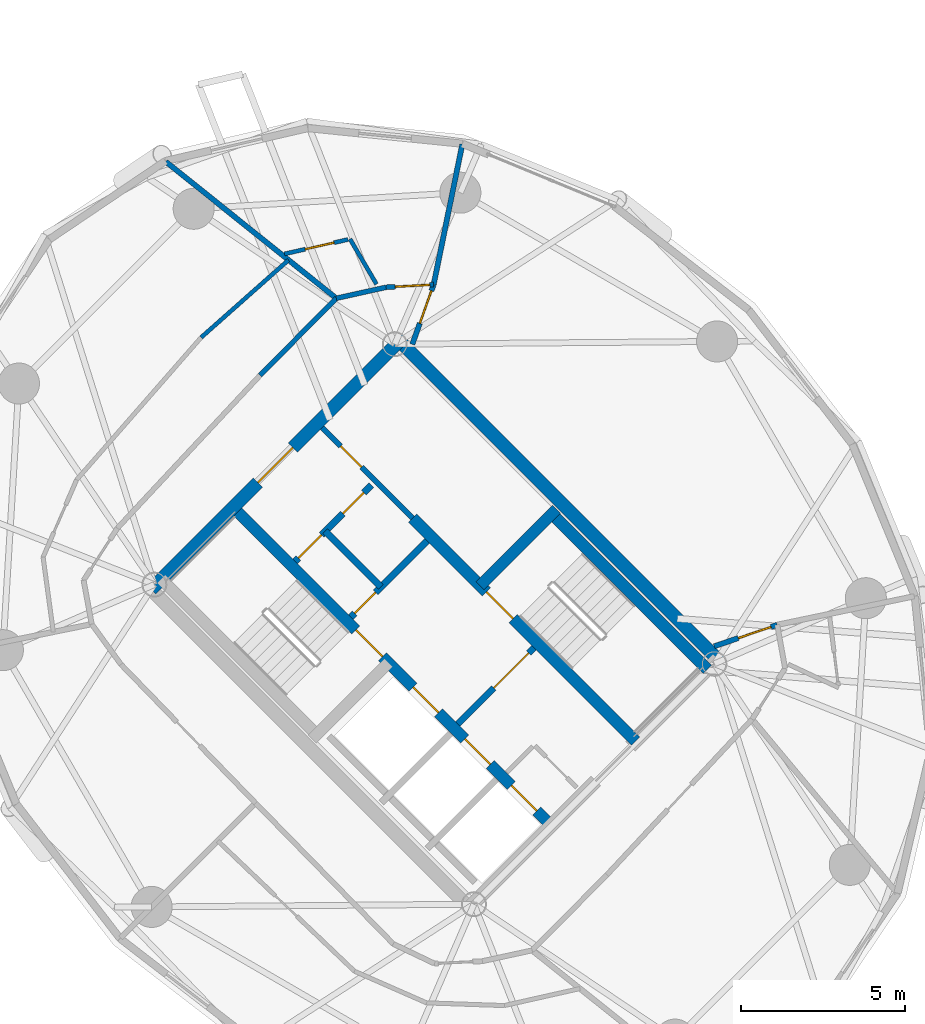
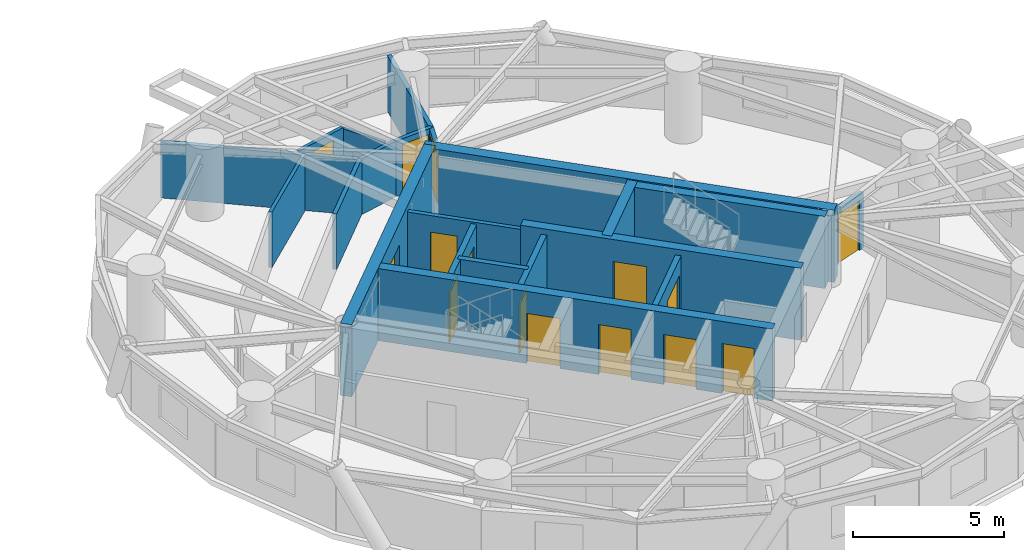
# One storey, part 13 of 17: 21 walls, 15 doors, 15 openings.
"""IFC4 building model written with IfcOpenShell, lengths in metres."""

import ifcopenshell
import ifcopenshell.guid

model = None  # the IFC model being written
_history = None  # IfcOwnerHistory: only IFC2X3 demands one
_inside = {}  # id of a spatial element -> (the spatial element, [elements in it])
_under = {}  # id of a project, library or spatial element -> (it, [spatial elements below it])
_declared = {}  # id of a project -> (the project, [libraries it declares])
_typed = {}  # id of a type object -> (the type object, [elements of that type])
_made_of = {}  # id of a material, layer set ... -> (it, [elements and type objects made of it])


def new_model(schema):
    """Start an empty IFC model of exactly this schema.

    Asked for "IFC4X3", IfcOpenShell would pick the latest addendum, in which some entities
    have other attributes; the version numbers below select the first issue.
    IFC2X3 requires an IfcOwnerHistory on every rooted entity: one is made here for all.
    """
    global model, _history
    if schema == "IFC4X3":
        model = ifcopenshell.file(schema_version=(4, 3, 0, 0))
    else:
        model = ifcopenshell.file(schema=schema)
    _inside.clear()
    _under.clear()
    _declared.clear()
    _typed.clear()
    _made_of.clear()
    _history = None
    if model.schema == "IFC2X3":
        org = make("IfcOrganization", Name="unknown")
        user = make(
            "IfcPersonAndOrganization",
            ThePerson=make("IfcPerson", FamilyName="unknown"),
            TheOrganization=org,
        )
        app = make(
            "IfcApplication",
            ApplicationDeveloper=org,
            Version="unknown",
            ApplicationFullName="unknown",
            ApplicationIdentifier="unknown",
        )
        _history = make(
            "IfcOwnerHistory",
            OwningUser=user,
            OwningApplication=app,
            ChangeAction="ADDED",
            CreationDate=0,
        )
    return model


def make(cls, **values):
    """One entity of the class cls with the attributes given. An attribute that is None is left unset."""
    return model.create_entity(
        cls, **{name: value for name, value in values.items() if value is not None}
    )


def rooted(cls, **values):
    """An entity with a GlobalId (a new one), such as an element, a storey or a relation."""
    return make(cls, GlobalId=ifcopenshell.guid.new(), OwnerHistory=_history, **values)


def si_unit(unit_type, name, prefix=None):
    """IfcSIUnit, for example si_unit("LENGTHUNIT", "METRE", prefix="MILLI")."""
    return make("IfcSIUnit", UnitType=unit_type, Prefix=prefix, Name=name)


def assignment(units):
    """IfcUnitAssignment: the units of a project."""
    return None if units is None else make("IfcUnitAssignment", Units=units)


def point(xyz):
    """IfcCartesianPoint."""
    return None if xyz is None else make("IfcCartesianPoint", Coordinates=xyz)


def direction(xyz):
    """IfcDirection."""
    return None if xyz is None else make("IfcDirection", DirectionRatios=xyz)


def frame(location, z_axis=None, x_axis=None):
    """IfcAxis2Placement3D, a coordinate frame: its origin and axes. An axis left out is left unset."""
    return make(
        "IfcAxis2Placement3D",
        Location=point(location),
        Axis=direction(z_axis),
        RefDirection=direction(x_axis),
    )


def frame_2d(location, x_axis=None):
    """IfcAxis2Placement2D, a coordinate frame in the plane: its origin and x axis."""
    return make(
        "IfcAxis2Placement2D", Location=point(location), RefDirection=direction(x_axis)
    )


def origin():
    """The frame at (0, 0, 0) with its axes left unset."""
    return frame((0.0, 0.0, 0.0))


def place(relative_to, where):
    """IfcLocalPlacement: puts the frame where relative to a parent placement (None: the world)."""
    return make(
        "IfcLocalPlacement", PlacementRelTo=relative_to, RelativePlacement=where
    )


def context(
    kind, dimensions, precision=None, world=None, true_north=None, identifier=None
):
    """IfcGeometricRepresentationContext, for example the 3D "Model" context."""
    return make(
        "IfcGeometricRepresentationContext",
        ContextIdentifier=identifier,
        ContextType=kind,
        CoordinateSpaceDimension=dimensions,
        Precision=precision,
        WorldCoordinateSystem=world,
        TrueNorth=true_north,
    )


def subcontext(parent, identifier, kind, view, scale=None):
    """IfcGeometricRepresentationSubContext, for example "Body" below "Model"."""
    return make(
        "IfcGeometricRepresentationSubContext",
        ContextIdentifier=identifier,
        ContextType=kind,
        ParentContext=parent,
        TargetScale=scale,
        TargetView=view,
    )


def project(units=None, contexts=None):
    """IfcProject with its units and contexts."""
    return rooted(
        "IfcProject",
        Name="project",
        RepresentationContexts=contexts,
        UnitsInContext=assignment(units),
    )


def spatial(cls, under=None, at=None, **own):
    """A site, building, storey or space (cls), placed at a placement, below another one or the project."""
    s = rooted(cls, ObjectPlacement=at, **own)
    if under is not None:
        _under.setdefault(under.id(), (under, []))[1].append(s)
    return s


def profile(cls, at=None, kind="AREA", **sizes):
    """A parametric profile (cls). Its sizes go by their IFC names, for example OverallWidth=200.0."""
    return make(cls, ProfileType=kind, Position=at, **sizes)


def rectangle(**sizes):
    """IfcRectangleProfileDef."""
    return profile("IfcRectangleProfileDef", **sizes)


def extrude(swept, where, along, depth):
    """IfcExtrudedAreaSolid: the profile swept, set in the frame where, extruded along a direction by depth."""
    return make(
        "IfcExtrudedAreaSolid",
        SweptArea=swept,
        Position=where,
        ExtrudedDirection=direction(along),
        Depth=depth,
    )


def shape(context_of_items, identifier, shape_type, items):
    """IfcShapeRepresentation: the items that make up one representation, for example the "Body"."""
    return make(
        "IfcShapeRepresentation",
        ContextOfItems=context_of_items,
        RepresentationIdentifier=identifier,
        RepresentationType=shape_type,
        Items=items,
    )


def source(mapping_origin, context_of_items, identifier, shape_type, items):
    """IfcRepresentationMap: a shape defined once, which mapped items show again and again."""
    return make(
        "IfcRepresentationMap",
        MappingOrigin=mapping_origin,
        MappedRepresentation=shape(context_of_items, identifier, shape_type, items),
    )


def transform(
    local_origin,
    x_axis=None,
    y_axis=None,
    z_axis=None,
    scale=None,
    scale2=None,
    scale3=None,
    uniform=True,
):
    """IfcCartesianTransformationOperator3D, or its non-uniform kind. x_axis, y_axis, z_axis: its Axis1, 2, 3."""
    if uniform:
        return make(
            "IfcCartesianTransformationOperator3D",
            Axis1=direction(x_axis),
            Axis2=direction(y_axis),
            LocalOrigin=point(local_origin),
            Scale=scale,
            Axis3=direction(z_axis),
        )
    return make(
        "IfcCartesianTransformationOperator3DnonUniform",
        Axis1=direction(x_axis),
        Axis2=direction(y_axis),
        LocalOrigin=point(local_origin),
        Scale=scale,
        Axis3=direction(z_axis),
        Scale2=scale2,
        Scale3=scale3,
    )


def mapped(mapping_source, mapping_target):
    """IfcMappedItem: shows the shape of a source again, moved by a transform."""
    return make(
        "IfcMappedItem", MappingSource=mapping_source, MappingTarget=mapping_target
    )


def material(Name=None, Category=None):
    """IfcMaterial."""
    return make("IfcMaterial", Name=Name, Category=Category)


def layer(
    of_material, thickness, ventilated=None, Name=None, Category=None, Priority=None
):
    """IfcMaterialLayer: one layer of a wall or slab, of a material (None: an air gap)."""
    return make(
        "IfcMaterialLayer",
        Material=of_material,
        LayerThickness=thickness,
        IsVentilated=ventilated,
        Name=Name,
        Category=Category,
        Priority=Priority,
    )


def layer_set(layers, Name=None):
    """IfcMaterialLayerSet."""
    return make("IfcMaterialLayerSet", MaterialLayers=layers, LayerSetName=Name)


def made_of(thing, what):
    """Note that an element or type object is made of a material, layer set ...; save() writes the relation."""
    if what is not None:
        _made_of.setdefault(what.id(), (what, []))[1].append(thing)
    return thing


def type_object(cls, material=None, **own):
    """A type object (cls), such as IfcWallType, which elements share."""
    return made_of(rooted(cls, **own), material)


def element(
    cls,
    number,
    at=None,
    inside=None,
    cuts=None,
    type_object=None,
    material=None,
    context=None,
    identifier="Body",
    shape_type=None,
    held_by="IfcProductDefinitionShape",
    body=None,
    shapes=None,
    **own,
):
    """One element of the class cls, such as IfcWall. Its Tag is "e" and its number.

    at: its placement. inside: the storey or other place that contains it. cuts: it is an
    opening in that element (IfcRelVoidsElement). A single representation is given by context,
    identifier, shape_type and body (its items); several are given by shapes. held_by: the class
    of the entity that holds the representations. save() writes the other relations.
    """
    e = rooted(cls, Tag="e%d" % number, ObjectPlacement=at, **own)
    if body is not None:
        shapes = [shape(context, identifier, shape_type, body)]
    if shapes is not None:
        e.Representation = make(held_by, Representations=shapes)
    if inside is not None:
        _inside.setdefault(inside.id(), (inside, []))[1].append(e)
    if cuts is not None:
        rooted(
            "IfcRelVoidsElement", RelatingBuildingElement=cuts, RelatedOpeningElement=e
        )
    if type_object is not None:
        _typed.setdefault(type_object.id(), (type_object, []))[1].append(e)
    return made_of(e, material)


def fill(opening, filler):
    """IfcRelFillsElement: the door or window that sits in an opening."""
    return rooted(
        "IfcRelFillsElement",
        RelatingOpeningElement=opening,
        RelatedBuildingElement=filler,
    )


def aggregate(whole, parts):
    """IfcRelAggregates: a whole, such as a stair, and the parts it consists of."""
    return rooted("IfcRelAggregates", RelatingObject=whole, RelatedObjects=parts)


def save(model, path):
    """Write the relations noted so far, then the file.

    IfcRelAggregates (storeys below a building ...), IfcRelContainedInSpatialStructure (elements
    in a storey), IfcRelDefinesByType, IfcRelAssociatesMaterial and IfcRelDeclares: one each for
    every whole, place, type object, material and project.
    """
    for whole, parts in _under.values():
        aggregate(whole, parts)
    for where, things in _inside.values():
        rooted(
            "IfcRelContainedInSpatialStructure",
            RelatedElements=things,
            RelatingStructure=where,
        )
    for kind, things in _typed.values():
        rooted("IfcRelDefinesByType", RelatedObjects=things, RelatingType=kind)
    for what, things in _made_of.values():
        rooted("IfcRelAssociatesMaterial", RelatedObjects=things, RelatingMaterial=what)
    for by, libraries in _declared.values():
        rooted("IfcRelDeclares", RelatingContext=by, RelatedDefinitions=libraries)
    model.write(path)


model = new_model("IFC4")

# Units and contexts
model_context = context("Model", 3, precision=1e-05, world=origin(), true_north=direction((0.0, 1.0)))
body_context = subcontext(model_context, "Body", "Model", "MODEL_VIEW")
ifc_project = project(units=[si_unit("LENGTHUNIT", "METRE"), si_unit("AREAUNIT", "SQUARE_METRE"), si_unit("VOLUMEUNIT", "CUBIC_METRE"), si_unit("PLANEANGLEUNIT", "RADIAN"), si_unit("MASSUNIT", "GRAM", prefix="KILO")], contexts=[model_context])

# Site, building, storey
site_placement = place(None, origin())
site = spatial("IfcSite", under=ifc_project, at=site_placement, CompositionType="ELEMENT")
building_placement = place(site_placement, origin())
building = spatial("IfcBuilding", under=site, at=building_placement, Name="Cununo Teusaquillo Station Towers", CompositionType="ELEMENT")
storey_placement = place(building_placement, frame((0.0, 0.0, 174.8798828125)))
storey = spatial("IfcBuildingStorey", under=building, at=storey_placement, Name="L55", CompositionType="ELEMENT", Elevation=174.8798828125)

# Wall, openings, doors
ifc_material_1 = material(Name="Concrete C50/60", Category="concrete")
ifc_layer_1 = layer(ifc_material_1, 0.35009765625)
ifc_layer_set_1 = layer_set([ifc_layer_1], Name="Concrete C50/60")
wall_type_1 = type_object("IfcWallType", Name="WL-CORE-350", PredefinedType="SHEAR", material=ifc_layer_set_1)
wall_1_placement = place(storey_placement, frame((61.060302734375, 18.372802734375, 0.0), z_axis=(0.0, 0.0, 1.0), x_axis=(-0.707106781187, 0.707106781187, 0.0)))
wall_1 = element("IfcWall", 1, at=wall_1_placement, inside=storey, type_object=wall_type_1, Name="L55 Tower B Core Shear Wall IW", PredefinedType="SHEAR", context=body_context, shape_type="SweptSolid", body=[
    extrude(rectangle(XDim=13.7001953125, YDim=0.35009765625, at=frame_2d((6.85009765625, 0.0))), origin(), (0.0, 0.0, 1.0), 2.91015625),
])
shared_shape_1 = source(origin(), body_context, "Body", "SweptSolid", [
    extrude(rectangle(XDim=1.10009765625, YDim=2.014892578125, at=frame_2d((0.550048828125, 1.00732421875))), frame((0.0, 0.18505859375, 0.0), z_axis=(0.0, -1.0, 0.0), x_axis=(1.0, 0.0, 0.0)), (0.0, 0.0, 1.0), 0.3701171875),
])
opening_1_placement = place(wall_1_placement, frame((4.85009765625, 0.0, 0.0)))
opening_1 = element("IfcOpeningElement", 2, at=opening_1_placement, cuts=wall_1, Name="Opening LD-01", PredefinedType="OPENING", context=body_context, shape_type="MappedRepresentation", body=[
    mapped(shared_shape_1, transform((0.0, 0.0, 0.0), x_axis=(1.0, 0.0, 0.0), y_axis=(0.0, 1.0, 0.0), z_axis=(0.0, 0.0, 1.0), scale=1.0)),
])
opening_2_placement = place(wall_1_placement, frame((0.625, 0.0, 0.0)))
opening_2 = element("IfcOpeningElement", 3, at=opening_2_placement, cuts=wall_1, Name="Opening LD-01", PredefinedType="OPENING", context=body_context, shape_type="MappedRepresentation", body=[
    mapped(shared_shape_1, transform((0.0, 0.0, 0.0), x_axis=(1.0, 0.0, 0.0), y_axis=(0.0, 1.0, 0.0), z_axis=(0.0, 0.0, 1.0), scale=1.0)),
])
opening_3_placement = place(wall_1_placement, frame((2.625, 0.0, 0.0)))
opening_3 = element("IfcOpeningElement", 4, at=opening_3_placement, cuts=wall_1, Name="Opening LD-01", PredefinedType="OPENING", context=body_context, shape_type="MappedRepresentation", body=[
    mapped(shared_shape_1, transform((0.0, 0.0, 0.0), x_axis=(1.0, 0.0, 0.0), y_axis=(0.0, 1.0, 0.0), z_axis=(0.0, 0.0, 1.0), scale=1.0)),
])
shared_shape_2 = source(origin(), body_context, "Body", "SweptSolid", [
    extrude(rectangle(XDim=1.14990234375, YDim=2.02001953125, at=frame_2d((0.574951171875, 1.010009765625))), frame((0.0, 0.18505859375, 0.0), z_axis=(0.0, -1.0, 0.0), x_axis=(1.0, 0.0, 0.0)), (0.0, 0.0, 1.0), 0.3701171875),
])
opening_4_placement = place(wall_1_placement, frame((7.27001953125, 0.0, 0.0)))
opening_4 = element("IfcOpeningElement", 5, at=opening_4_placement, cuts=wall_1, Name="Opening D-ST1", PredefinedType="OPENING", context=body_context, shape_type="MappedRepresentation", body=[
    mapped(shared_shape_2, transform((0.0, 0.0, 0.0), x_axis=(1.0, 0.0, 0.0), y_axis=(0.0, 1.0, 0.0), z_axis=(0.0, 0.0, 1.0), scale=1.0)),
])
ifc_material_2 = material(Name="Galvanised fire-rated hollow steel door assembly", Category="steel")
door_type_1 = type_object("IfcDoorType", Name="DR-LIFT-1100", OperationType="SLIDING_TO_LEFT", PredefinedType="DOOR", material=ifc_material_2)
shared_shape_3 = source(origin(), body_context, "Body", "SweptSolid", [
    extrude(rectangle(XDim=1.10009765625, YDim=2.014892578125, at=frame_2d((0.550048828125, 1.00732421875))), frame((0.0, 0.02490234375, 0.0), z_axis=(0.0, -1.0, 0.0), x_axis=(1.0, 0.0, 0.0)), (0.0, 0.0, 1.0), 0.050048828125),
])
door_1_placement = place(opening_1_placement, origin())
door_1 = element("IfcDoor", 6, at=door_1_placement, inside=storey, type_object=door_type_1, Name="L55 Lift FL-T2 Sliding Landing Door", OperationType="SLIDING_TO_LEFT", OverallHeight=2.014892578125, OverallWidth=1.10009765625, PredefinedType="DOOR", context=body_context, shape_type="MappedRepresentation", body=[
    mapped(shared_shape_3, transform((0.0, 0.0, 0.0), x_axis=(1.0, 0.0, 0.0), y_axis=(0.0, 1.0, 0.0), z_axis=(0.0, 0.0, 1.0), scale=1.0)),
])
fill(opening_1, door_1)
door_2_placement = place(opening_2_placement, origin())
door_2 = element("IfcDoor", 7, at=door_2_placement, inside=storey, type_object=door_type_1, Name="L55 Lift PL-T2-H1 Sliding Landing Door", OperationType="SLIDING_TO_RIGHT", OverallHeight=2.014892578125, OverallWidth=1.10009765625, PredefinedType="DOOR", context=body_context, shape_type="MappedRepresentation", body=[
    mapped(shared_shape_3, transform((0.0, 0.0, 0.0), x_axis=(1.0, 0.0, 0.0), y_axis=(0.0, 1.0, 0.0), z_axis=(0.0, 0.0, 1.0), scale=1.0)),
])
fill(opening_2, door_2)
door_3_placement = place(opening_3_placement, origin())
door_3 = element("IfcDoor", 8, at=door_3_placement, inside=storey, type_object=door_type_1, Name="L55 Lift PL-T2-H2 Sliding Landing Door", OperationType="SLIDING_TO_LEFT", OverallHeight=2.014892578125, OverallWidth=1.10009765625, PredefinedType="DOOR", context=body_context, shape_type="MappedRepresentation", body=[
    mapped(shared_shape_3, transform((0.0, 0.0, 0.0), x_axis=(1.0, 0.0, 0.0), y_axis=(0.0, 1.0, 0.0), z_axis=(0.0, 0.0, 1.0), scale=1.0)),
])
fill(opening_3, door_3)
ifc_material_3 = material(Name="Galvanised fire-rated hollow steel door assembly", Category="steel")
door_type_2 = type_object("IfcDoorType", Name="DR-STAIR-1150", OperationType="NOTDEFINED", PredefinedType="DOOR", material=ifc_material_3)
shared_shape_4 = source(origin(), body_context, "Body", "SweptSolid", [
    extrude(rectangle(XDim=1.14990234375, YDim=2.02001953125, at=frame_2d((0.574951171875, 1.010009765625))), frame((0.0, 0.02490234375, 0.0), z_axis=(0.0, -1.0, 0.0), x_axis=(1.0, 0.0, 0.0)), (0.0, 0.0, 1.0), 0.050048828125),
])
door_4_placement = place(opening_4_placement, origin())
door_4 = element("IfcDoor", 9, at=door_4_placement, inside=storey, type_object=door_type_2, Name="L55 Tower B Exit Stair 1 Fire Door", OperationType="SINGLE_SWING_LEFT", OverallHeight=2.02001953125, OverallWidth=1.14990234375, PredefinedType="DOOR", context=body_context, shape_type="MappedRepresentation", body=[
    mapped(shared_shape_4, transform((0.0, 0.0, 0.0), x_axis=(1.0, 0.0, 0.0), y_axis=(0.0, 1.0, 0.0), z_axis=(0.0, 0.0, 1.0), scale=1.0)),
])
fill(opening_4, door_4)

# Wall, opening, door
wall_2_placement = place(storey_placement, frame((63.627197265625, 20.939697265625, 0.0), z_axis=(0.0, 0.0, 1.0), x_axis=(-0.707119496762, 0.707094065383, 0.0)))
wall_2 = element("IfcWall", 10, at=wall_2_placement, inside=storey, type_object=wall_type_1, Name="L55 Tower B Core Shear Wall IE", PredefinedType="SHEAR", context=body_context, shape_type="SweptSolid", body=[
    extrude(rectangle(XDim=9.60009765625, YDim=0.35009765625, at=frame_2d((4.800048828125, 0.0))), origin(), (0.0, 0.0, 1.0), 2.91015625),
])
opening_5_placement = place(wall_2_placement, frame((5.280029296875, 0.0, 0.0)))
opening_5 = element("IfcOpeningElement", 11, at=opening_5_placement, cuts=wall_2, Name="Opening D-ST1", PredefinedType="OPENING", context=body_context, shape_type="MappedRepresentation", body=[
    mapped(shared_shape_2, transform((0.0, 0.0, 0.0), x_axis=(1.0, 0.0, 0.0), y_axis=(0.0, 1.0, 0.0), z_axis=(0.0, 0.0, 1.0), scale=1.0)),
])
door_5_placement = place(opening_5_placement, origin())
door_5 = element("IfcDoor", 12, at=door_5_placement, inside=storey, type_object=door_type_2, Name="L55 Tower B Exit Stair 2 Fire Door", OperationType="SINGLE_SWING_RIGHT", OverallHeight=2.02001953125, OverallWidth=1.14990234375, PredefinedType="DOOR", context=body_context, shape_type="MappedRepresentation", body=[
    mapped(shared_shape_4, transform((0.0, 0.0, 0.0), x_axis=(1.0, 0.0, 0.0), y_axis=(0.0, 1.0, 0.0), z_axis=(0.0, 0.0, 1.0), scale=1.0)),
])
fill(opening_5, door_5)

# Walls
wall_3_placement = place(storey_placement, frame((65.81201171875, 23.124755859375, 0.0), z_axis=(0.0, 0.0, 1.0), x_axis=(-0.707106781187, 0.707106781187, 0.0)))
element("IfcWall", 13, at=wall_3_placement, inside=storey, type_object=wall_type_1, Name="L55 Tower B Core Shear Wall ST2E", PredefinedType="SHEAR", context=body_context, shape_type="SweptSolid", body=[
    extrude(rectangle(XDim=6.695068359375, YDim=0.35009765625, at=frame_2d((3.34765625, 0.0))), origin(), (0.0, 0.0, 1.0), 2.91015625),
])
wall_4_placement = place(storey_placement, frame((58.89306640625, 25.673828125, 0.0), z_axis=(0.0, 0.0, 1.0), x_axis=(0.707106781187, 0.707106781187, 0.0)))
element("IfcWall", 14, at=wall_4_placement, inside=storey, type_object=wall_type_1, Name="L55 Tower B Core Shear Wall ST2N", PredefinedType="SHEAR", context=body_context, shape_type="SweptSolid", body=[
    extrude(rectangle(XDim=3.284912109375, YDim=0.35009765625, at=frame_2d((1.642578125, 0.0))), origin(), (0.0, 0.0, 1.0), 2.91015625),
])
ifc_material_4 = material(Name="Concrete C50/60", Category="concrete")
ifc_layer_2 = layer(ifc_material_4, 0.39990234375)
ifc_layer_set_2 = layer_set([ifc_layer_2], Name="Concrete C50/60")
wall_type_2 = type_object("IfcWallType", Name="WL-CORE-400", PredefinedType="SHEAR", material=ifc_layer_set_2)
wall_5_placement = place(storey_placement, frame((66.26806640625, 23.2978515625, 0.0), z_axis=(0.0, 0.0, 1.0), x_axis=(-0.707106781187, 0.707106781187, 0.0)))
element("IfcWall", 15, at=wall_5_placement, inside=storey, type_object=wall_type_2, Name="L55 Tower B Core Shear Wall E", PredefinedType="SHEAR", context=body_context, shape_type="SweptSolid", body=[
    extrude(rectangle(XDim=14.10009765625, YDim=0.39990234375, at=frame_2d((7.050048828125, 0.0))), origin(), (0.0, 0.0, 1.0), 2.91015625),
])

# Wall, opening, door
wall_6_placement = place(storey_placement, frame((48.873291015625, 25.560791015625, 0.0), z_axis=(0.0, 0.0, 1.0), x_axis=(0.707106781187, 0.707106781187, 0.0)))
wall_6 = element("IfcWall", 16, at=wall_6_placement, inside=storey, type_object=wall_type_2, Name="L55 Tower B Core Shear Wall N", PredefinedType="SHEAR", context=body_context, shape_type="SweptSolid", body=[
    extrude(rectangle(XDim=10.69970703125, YDim=0.39990234375, at=frame_2d((5.349853515625, 0.0))), origin(), (0.0, 0.0, 1.0), 2.91015625),
])
shared_shape_5 = source(origin(), body_context, "Body", "SweptSolid", [
    extrude(rectangle(XDim=1.5, YDim=2.02001953125, at=frame_2d((0.75, 1.010009765625))), frame((0.0, 0.2099609375, 0.0), z_axis=(0.0, -1.0, 0.0), x_axis=(1.0, 0.0, 0.0)), (0.0, 0.0, 1.0), 0.419921875),
])
opening_6_placement = place(wall_6_placement, frame((4.60009765625, 0.0, 0.0)))
opening_6 = element("IfcOpeningElement", 17, at=opening_6_placement, cuts=wall_6, Name="Opening D-LB1", PredefinedType="OPENING", context=body_context, shape_type="MappedRepresentation", body=[
    mapped(shared_shape_5, transform((0.0, 0.0, 0.0), x_axis=(1.0, 0.0, 0.0), y_axis=(0.0, 1.0, 0.0), z_axis=(0.0, 0.0, 1.0), scale=1.0)),
])
ifc_material_5 = material(Name="Galvanised fire-rated hollow steel door assembly", Category="steel")
door_type_3 = type_object("IfcDoorType", Name="DR-LOBBY-1500", OperationType="DOUBLE_DOOR_SINGLE_SWING", PredefinedType="DOOR", material=ifc_material_5)
shared_shape_6 = source(origin(), body_context, "Body", "SweptSolid", [
    extrude(rectangle(XDim=1.5, YDim=2.02001953125, at=frame_2d((0.75, 1.010009765625))), frame((0.0, 0.02490234375, 0.0), z_axis=(0.0, -1.0, 0.0), x_axis=(1.0, 0.0, 0.0)), (0.0, 0.0, 1.0), 0.050048828125),
])
door_6_placement = place(opening_6_placement, origin())
door_6 = element("IfcDoor", 18, at=door_6_placement, inside=storey, type_object=door_type_3, Name="L55 Tower B North Core Lift Lobby Door", OperationType="DOUBLE_DOOR_SINGLE_SWING", OverallHeight=2.02001953125, OverallWidth=1.5, PredefinedType="DOOR", context=body_context, shape_type="MappedRepresentation", body=[
    mapped(shared_shape_6, transform((0.0, 0.0, 0.0), x_axis=(1.0, 0.0, 0.0), y_axis=(0.0, 1.0, 0.0), z_axis=(0.0, 0.0, 1.0), scale=1.0)),
])
fill(opening_6, door_6)

# Wall
ifc_material_6 = material(Name="Fire-rated gypsum plasterboard partition assembly", Category="gypsum")
ifc_layer_3 = layer(ifc_material_6, 0.125)
ifc_layer_set_3 = layer_set([ifc_layer_3], Name="Fire-rated gypsum plasterboard partition assembly")
wall_type_3 = type_object("IfcWallType", Name="WL-PART-125", PredefinedType="PARTITIONING", material=ifc_layer_set_3)
wall_7_placement = place(storey_placement, frame((55.7373046875, 34.8525390625, 0.0), z_axis=(0.0, 0.0, 1.0), x_axis=(-0.506282425857, 0.862367732043, 0.0)))
element("IfcWall", 19, at=wall_7_placement, inside=storey, type_object=wall_type_3, Name="L55 Tower B S01 En-suite Side Wall", PredefinedType="PARTITIONING", context=body_context, shape_type="SweptSolid", body=[
    extrude(rectangle(XDim=1.59130859375, YDim=0.125, at=frame_2d((0.795654296875, 0.0))), origin(), (0.0, 0.0, 1.0), 2.2451171875),
])

# Wall, opening, door
wall_8_placement = place(storey_placement, frame((54.87109375, 36.211181640625, 0.0), z_axis=(0.0, 0.0, 1.0), x_axis=(-0.975212623293, -0.221269833846, 0.0)))
wall_8 = element("IfcWall", 20, at=wall_8_placement, inside=storey, type_object=wall_type_3, Name="L55 Tower B S01 En-suite Back Wall", PredefinedType="PARTITIONING", context=body_context, shape_type="SweptSolid", body=[
    extrude(rectangle(XDim=1.982666015625, YDim=0.125, at=frame_2d((0.9912109375, 0.0))), origin(), (0.0, 0.0, 1.0), 2.31201171875),
])
shared_shape_7 = source(origin(), body_context, "Body", "SweptSolid", [
    extrude(rectangle(XDim=0.89990234375, YDim=2.0048828125, at=frame_2d((0.449951171875, 1.00244140625))), frame((0.0, 0.072509765625, 0.0), z_axis=(0.0, -1.0, 0.0), x_axis=(1.0, 0.0, 0.0)), (0.0, 0.0, 1.0), 0.14501953125),
])
opening_7_placement = place(wall_8_placement, frame((0.43603515625, 0.0, 0.0)))
opening_7 = element("IfcOpeningElement", 21, at=opening_7_placement, cuts=wall_8, Name="Opening D-IN1", PredefinedType="OPENING", context=body_context, shape_type="MappedRepresentation", body=[
    mapped(shared_shape_7, transform((0.0, 0.0, 0.0), x_axis=(1.0, 0.0, 0.0), y_axis=(0.0, 1.0, 0.0), z_axis=(0.0, 0.0, 1.0), scale=1.0)),
])
ifc_material_7 = material(Name="Acoustic solid-core hardwood leaf assembly", Category="wood")
door_type_4 = type_object("IfcDoorType", Name="DR-INT-900", OperationType="NOTDEFINED", PredefinedType="DOOR", material=ifc_material_7)
shared_shape_8 = source(origin(), body_context, "Body", "SweptSolid", [
    extrude(rectangle(XDim=0.89990234375, YDim=2.0048828125, at=frame_2d((0.449951171875, 1.00244140625))), frame((0.0, 0.02490234375, 0.0), z_axis=(0.0, -1.0, 0.0), x_axis=(1.0, 0.0, 0.0)), (0.0, 0.0, 1.0), 0.050048828125),
])
door_7_placement = place(opening_7_placement, origin())
door_7 = element("IfcDoor", 22, at=door_7_placement, inside=storey, type_object=door_type_4, Name="L55 Tower B S01 En-suite Bathroom Door", OperationType="SINGLE_SWING_LEFT", OverallHeight=2.0048828125, OverallWidth=0.89990234375, PredefinedType="DOOR", context=body_context, shape_type="MappedRepresentation", body=[
    mapped(shared_shape_8, transform((0.0, 0.0, 0.0), x_axis=(1.0, 0.0, 0.0), y_axis=(0.0, 1.0, 0.0), z_axis=(0.0, 0.0, 1.0), scale=1.0)),
])
fill(opening_7, door_7)

# Wall
wall_9_placement = place(storey_placement, frame((53.060302734375, 35.5869140625, 0.0), z_axis=(0.0, 0.0, 1.0), x_axis=(-0.748390346028, -0.663258539314, 0.0)))
element("IfcWall", 23, at=wall_9_placement, inside=storey, type_object=wall_type_3, Name="L55 Tower B Private Butler & Banquet Hall Concentric Partition Wall C04", PredefinedType="PARTITIONING", context=body_context, shape_type="SweptSolid", body=[
    extrude(rectangle(XDim=3.55322265625, YDim=0.125, at=frame_2d((1.776611328125, 0.0))), origin(), (0.0, 0.0, 1.0), 2.2451171875),
])

# Wall, opening, door
ifc_material_8 = material(Name="Fire-rated gypsum plasterboard partition assembly", Category="gypsum")
ifc_layer_4 = layer(ifc_material_8, 0.14990234375)
ifc_layer_set_4 = layer_set([ifc_layer_4], Name="Fire-rated gypsum plasterboard partition assembly")
wall_type_4 = type_object("IfcWallType", Name="WL-PART-150", PredefinedType="PARTITIONING", material=ifc_layer_set_4)
wall_10_placement = place(storey_placement, frame((57.477783203125, 34.837890625, 0.0), z_axis=(0.0, 0.0, 1.0), x_axis=(-0.998448388303, -0.05568497011, 0.0)))
wall_10 = element("IfcWall", 24, at=wall_10_placement, inside=storey, type_object=wall_type_4, Name="L55 Tower B Corridor Ring Wall C02", PredefinedType="PARTITIONING", context=body_context, shape_type="SweptSolid", body=[
    extrude(rectangle(XDim=1.44677734375, YDim=0.14990234375, at=frame_2d((0.723388671875, 0.0))), origin(), (0.0, 0.0, 1.0), 2.2451171875),
])
shared_shape_9 = source(origin(), body_context, "Body", "SweptSolid", [
    extrude(rectangle(XDim=1.050048828125, YDim=2.014892578125, at=frame_2d((0.52490234375, 1.00732421875))), frame((0.0, 0.0849609375, 0.0), z_axis=(0.0, -1.0, 0.0), x_axis=(1.0, 0.0, 0.0)), (0.0, 0.0, 1.0), 0.169921875),
])
opening_8_placement = place(wall_10_placement, frame((0.1201171875, 0.0, 0.0)))
opening_8 = element("IfcOpeningElement", 25, at=opening_8_placement, cuts=wall_10, Name="Opening D-SU1", PredefinedType="OPENING", context=body_context, shape_type="MappedRepresentation", body=[
    mapped(shared_shape_9, transform((0.0, 0.0, 0.0), x_axis=(1.0, 0.0, 0.0), y_axis=(0.0, 1.0, 0.0), z_axis=(0.0, 0.0, 1.0), scale=1.0)),
])
ifc_material_9 = material(Name="Acoustic solid-core hardwood leaf assembly", Category="wood")
door_type_5 = type_object("IfcDoorType", Name="DR-SUITE-1050", OperationType="NOTDEFINED", PredefinedType="DOOR", material=ifc_material_9)
shared_shape_10 = source(origin(), body_context, "Body", "SweptSolid", [
    extrude(rectangle(XDim=1.050048828125, YDim=2.014892578125, at=frame_2d((0.52490234375, 1.00732421875))), frame((0.0, 0.02490234375, 0.0), z_axis=(0.0, -1.0, 0.0), x_axis=(1.0, 0.0, 0.0)), (0.0, 0.0, 1.0), 0.050048828125),
])
door_8_placement = place(opening_8_placement, origin())
door_8 = element("IfcDoor", 26, at=door_8_placement, inside=storey, type_object=door_type_5, Name="L55 Tower B Royal Teusaquillo Hotel Suite Entrance Door", OperationType="SINGLE_SWING_RIGHT", OverallHeight=2.014892578125, OverallWidth=1.050048828125, PredefinedType="DOOR", context=body_context, shape_type="MappedRepresentation", body=[
    mapped(shared_shape_10, transform((0.0, 0.0, 0.0), x_axis=(1.0, 0.0, 0.0), y_axis=(0.0, 1.0, 0.0), z_axis=(0.0, 0.0, 1.0), scale=1.0)),
])
fill(opening_8, door_8)

# Walls
wall_11_placement = place(storey_placement, frame((56.033203125, 34.75732421875, 0.0), z_axis=(0.0, 0.0, 1.0), x_axis=(-0.976507263775, -0.215484486204, 0.0)))
element("IfcWall", 27, at=wall_11_placement, inside=storey, type_object=wall_type_4, Name="L55 Tower B Corridor Ring Wall C03", PredefinedType="PARTITIONING", context=body_context, shape_type="SweptSolid", body=[
    extrude(rectangle(XDim=1.5556640625, YDim=0.14990234375, at=frame_2d((0.77783203125, 0.0))), origin(), (0.0, 0.0, 1.0), 2.2451171875),
])
wall_12_placement = place(storey_placement, frame((54.51416015625, 34.422119140625, 0.0), z_axis=(0.0, 0.0, 1.0), x_axis=(-0.703289573518, -0.710903492593, 0.0)))
element("IfcWall", 28, at=wall_12_placement, inside=storey, type_object=wall_type_4, Name="L55 Tower B Corridor Ring Wall C04", PredefinedType="PARTITIONING", context=body_context, shape_type="SweptSolid", body=[
    extrude(rectangle(XDim=3.302734375, YDim=0.14990234375, at=frame_2d((1.6513671875, 0.0))), origin(), (0.0, 0.0, 1.0), 2.2451171875),
])

# Wall, opening, door
ifc_material_10 = material(Name="Fire-rated gypsum plasterboard partition assembly", Category="gypsum")
ifc_layer_5 = layer(ifc_material_10, 0.159912109375)
ifc_layer_set_5 = layer_set([ifc_layer_5], Name="Fire-rated gypsum plasterboard partition assembly")
wall_type_5 = type_object("IfcWallType", Name="WL-PART-160", PredefinedType="PARTITIONING", material=ifc_layer_set_5)
wall_13_placement = place(storey_placement, frame((56.8388671875, 27.727783203125, 0.0), z_axis=(0.0, 0.0, 1.0), x_axis=(-0.707106781187, 0.707106781187, 0.0)))
wall_13 = element("IfcWall", 29, at=wall_13_placement, inside=storey, type_object=wall_type_5, Name="L55 Tower B Reclaimed Core Bay Entry Wall", PredefinedType="PARTITIONING", context=body_context, shape_type="SweptSolid", body=[
    extrude(rectangle(XDim=3.900146484375, YDim=0.159912109375, at=frame_2d((1.9501953125, 0.0))), origin(), (0.0, 0.0, 1.0), 2.675048828125),
])
shared_shape_11 = source(origin(), body_context, "Body", "SweptSolid", [
    extrude(rectangle(XDim=0.89990234375, YDim=2.0048828125, at=frame_2d((0.449951171875, 1.00244140625))), frame((0.0, 0.08984375, 0.0), z_axis=(0.0, -1.0, 0.0), x_axis=(1.0, 0.0, 0.0)), (0.0, 0.0, 1.0), 0.179931640625),
])
opening_9_placement = place(wall_13_placement, frame((2.199951171875, 0.0, 0.0)))
opening_9 = element("IfcOpeningElement", 30, at=opening_9_placement, cuts=wall_13, Name="Opening D-IN1", PredefinedType="OPENING", context=body_context, shape_type="MappedRepresentation", body=[
    mapped(shared_shape_11, transform((0.0, 0.0, 0.0), x_axis=(1.0, 0.0, 0.0), y_axis=(0.0, 1.0, 0.0), z_axis=(0.0, 0.0, 1.0), scale=1.0)),
])
door_9_placement = place(opening_9_placement, origin())
door_9 = element("IfcDoor", 31, at=door_9_placement, inside=storey, type_object=door_type_4, Name="L55 Tower B Reclaimed Core Lounge Door", OperationType="SINGLE_SWING_LEFT", OverallHeight=2.0048828125, OverallWidth=0.89990234375, PredefinedType="DOOR", context=body_context, shape_type="MappedRepresentation", body=[
    mapped(shared_shape_8, transform((0.0, 0.0, 0.0), x_axis=(1.0, 0.0, 0.0), y_axis=(0.0, 1.0, 0.0), z_axis=(0.0, 0.0, 1.0), scale=1.0)),
])
fill(opening_9, door_9)

# Walls
wall_14_placement = place(storey_placement, frame((57.477783203125, 34.837890625, 0.0), z_axis=(0.0, 0.0, 1.0), x_axis=(0.200272806445, 0.979740171167, 0.0)))
element("IfcWall", 32, at=wall_14_placement, inside=storey, type_object=wall_type_5, Name="L55 Tower B Radial Suite Partition R01", PredefinedType="PARTITIONING", context=body_context, shape_type="SweptSolid", body=[
    extrude(rectangle(XDim=4.358154296875, YDim=0.159912109375, at=frame_2d((2.17919921875, 0.0))), origin(), (0.0, 0.0, 1.0), 2.2451171875),
])
wall_15_placement = place(storey_placement, frame((54.51416015625, 34.422119140625, 0.0), z_axis=(0.0, 0.0, 1.0), x_axis=(-0.780385234796, 0.625299036712, 0.0)))
element("IfcWall", 33, at=wall_15_placement, inside=storey, type_object=wall_type_5, Name="L55 Tower B Radial Suite Partition R02", PredefinedType="PARTITIONING", context=body_context, shape_type="SweptSolid", body=[
    extrude(rectangle(XDim=6.652587890625, YDim=0.159912109375, at=frame_2d((3.326171875, 0.0))), origin(), (0.0, 0.0, 1.0), 2.2451171875),
])

# Wall, opening, door
wall_16_placement = place(storey_placement, frame((56.828125, 33.0205078125, 0.0), z_axis=(0.0, 0.0, 1.0), x_axis=(0.336608838259, 0.941644566705, 0.0)))
wall_16 = element("IfcWall", 34, at=wall_16_placement, inside=storey, type_object=wall_type_5, Name="L55 Tower B East Salon Corridor Portal Wall NE", PredefinedType="PARTITIONING", context=body_context, shape_type="SweptSolid", body=[
    extrude(rectangle(XDim=1.929931640625, YDim=0.159912109375, at=frame_2d((0.96484375, 0.0))), origin(), (0.0, 0.0, 1.0), 2.2451171875),
])
shared_shape_12 = source(origin(), body_context, "Body", "SweptSolid", [
    extrude(rectangle(XDim=1.050048828125, YDim=2.014892578125, at=frame_2d((0.52490234375, 1.00732421875))), frame((0.0, 0.08984375, 0.0), z_axis=(0.0, -1.0, 0.0), x_axis=(1.0, 0.0, 0.0)), (0.0, 0.0, 1.0), 0.179931640625),
])
opening_10_placement = place(wall_16_placement, frame((0.679931640625, 0.0, 0.0)))
opening_10 = element("IfcOpeningElement", 35, at=opening_10_placement, cuts=wall_16, Name="Opening D-SU1", PredefinedType="OPENING", context=body_context, shape_type="MappedRepresentation", body=[
    mapped(shared_shape_12, transform((0.0, 0.0, 0.0), x_axis=(1.0, 0.0, 0.0), y_axis=(0.0, 1.0, 0.0), z_axis=(0.0, 0.0, 1.0), scale=1.0)),
])
door_10_placement = place(opening_10_placement, origin())
door_10 = element("IfcDoor", 36, at=door_10_placement, inside=storey, type_object=door_type_5, Name="L55 Tower B East Panorama Sky Salon Door NE", OperationType="SINGLE_SWING_RIGHT", OverallHeight=2.014892578125, OverallWidth=1.050048828125, PredefinedType="DOOR", context=body_context, shape_type="MappedRepresentation", body=[
    mapped(shared_shape_10, transform((0.0, 0.0, 0.0), x_axis=(1.0, 0.0, 0.0), y_axis=(0.0, 1.0, 0.0), z_axis=(0.0, 0.0, 1.0), scale=1.0)),
])
fill(opening_10, door_10)

wall_17_placement = place(storey_placement, frame((66.0205078125, 23.828125, 0.0), z_axis=(0.0, 0.0, 1.0), x_axis=(0.946687463515, 0.32215345167, 0.0)))
wall_17 = element("IfcWall", 37, at=wall_17_placement, inside=storey, type_object=wall_type_5, Name="L55 Tower B East Salon Corridor Portal Wall SE", PredefinedType="PARTITIONING", context=body_context, shape_type="SweptSolid", body=[
    extrude(rectangle(XDim=2.02490234375, YDim=0.159912109375, at=frame_2d((1.012451171875, 0.0))), origin(), (0.0, 0.0, 1.0), 2.2451171875),
])
opening_11_placement = place(wall_17_placement, frame((0.774658203125, 0.0, 0.0)))
opening_11 = element("IfcOpeningElement", 38, at=opening_11_placement, cuts=wall_17, Name="Opening D-SU1", PredefinedType="OPENING", context=body_context, shape_type="MappedRepresentation", body=[
    mapped(shared_shape_12, transform((0.0, 0.0, 0.0), x_axis=(1.0, 0.0, 0.0), y_axis=(0.0, 1.0, 0.0), z_axis=(0.0, 0.0, 1.0), scale=1.0)),
])
door_11_placement = place(opening_11_placement, origin())
door_11 = element("IfcDoor", 39, at=door_11_placement, inside=storey, type_object=door_type_5, Name="L55 Tower B East Panorama Sky Salon Door SE", OperationType="SINGLE_SWING_LEFT", OverallHeight=2.014892578125, OverallWidth=1.050048828125, PredefinedType="DOOR", context=body_context, shape_type="MappedRepresentation", body=[
    mapped(shared_shape_10, transform((0.0, 0.0, 0.0), x_axis=(1.0, 0.0, 0.0), y_axis=(0.0, 1.0, 0.0), z_axis=(0.0, 0.0, 1.0), scale=1.0)),
])
fill(opening_11, door_11)

ifc_material_11 = material(Name="Fire-rated gypsum plasterboard partition assembly", Category="gypsum")
ifc_layer_6 = layer(ifc_material_11, 0.199951171875)
ifc_layer_set_6 = layer_set([ifc_layer_6], Name="Fire-rated gypsum plasterboard partition assembly")
wall_type_6 = type_object("IfcWallType", Name="WL-PART-200", PredefinedType="PARTITIONING", material=ifc_layer_set_6)
wall_18_placement = place(storey_placement, frame((58.214111328125, 21.466552734375, 0.0), z_axis=(0.0, 0.0, 1.0), x_axis=(0.707106781187, 0.707106781187, 0.0)))
wall_18 = element("IfcWall", 40, at=wall_18_placement, inside=storey, type_object=wall_type_6, Name="L55 Tower B Firefighting Lift Lobby South Fire Wall", PredefinedType="PARTITIONING", context=body_context, shape_type="SweptSolid", body=[
    extrude(rectangle(XDim=3.280029296875, YDim=0.199951171875, at=frame_2d((1.64013671875, 0.0))), origin(), (0.0, 0.0, 1.0), 2.675048828125),
])
shared_shape_13 = source(origin(), body_context, "Body", "SweptSolid", [
    extrude(rectangle(XDim=1.5, YDim=2.02001953125, at=frame_2d((0.75, 1.010009765625))), frame((0.0, 0.10986328125, 0.0), z_axis=(0.0, -1.0, 0.0), x_axis=(1.0, 0.0, 0.0)), (0.0, 0.0, 1.0), 0.219970703125),
])
opening_12_placement = place(wall_18_placement, frame((1.550048828125, 0.0, 0.0)))
opening_12 = element("IfcOpeningElement", 41, at=opening_12_placement, cuts=wall_18, Name="Opening D-LB1", PredefinedType="OPENING", context=body_context, shape_type="MappedRepresentation", body=[
    mapped(shared_shape_13, transform((0.0, 0.0, 0.0), x_axis=(1.0, 0.0, 0.0), y_axis=(0.0, 1.0, 0.0), z_axis=(0.0, 0.0, 1.0), scale=1.0)),
])
door_12_placement = place(opening_12_placement, origin())
door_12 = element("IfcDoor", 42, at=door_12_placement, inside=storey, type_object=door_type_3, Name="L55 Tower B Firefighting Lift Lobby South Fire Door", OperationType="DOUBLE_DOOR_SINGLE_SWING", OverallHeight=2.02001953125, OverallWidth=1.5, PredefinedType="DOOR", context=body_context, shape_type="MappedRepresentation", body=[
    mapped(shared_shape_6, transform((0.0, 0.0, 0.0), x_axis=(1.0, 0.0, 0.0), y_axis=(0.0, 1.0, 0.0), z_axis=(0.0, 0.0, 1.0), scale=1.0)),
])
fill(opening_12, door_12)

wall_19_placement = place(storey_placement, frame((54.96142578125, 24.71923828125, 0.0), z_axis=(0.0, 0.0, 1.0), x_axis=(0.707106781187, 0.707106781187, 0.0)))
wall_19 = element("IfcWall", 43, at=wall_19_placement, inside=storey, type_object=wall_type_6, Name="L55 Tower B Firefighting Lift Lobby North Fire Wall", PredefinedType="PARTITIONING", context=body_context, shape_type="SweptSolid", body=[
    extrude(rectangle(XDim=3.280029296875, YDim=0.199951171875, at=frame_2d((1.64013671875, 0.0))), origin(), (0.0, 0.0, 1.0), 2.675048828125),
])
shared_shape_14 = source(origin(), body_context, "Body", "SweptSolid", [
    extrude(rectangle(XDim=0.89990234375, YDim=2.0048828125, at=frame_2d((0.449951171875, 1.00244140625))), frame((0.0, 0.10986328125, 0.0), z_axis=(0.0, -1.0, 0.0), x_axis=(1.0, 0.0, 0.0)), (0.0, 0.0, 1.0), 0.219970703125),
])
opening_13_placement = place(wall_19_placement, frame((0.159912109375, 0.0, 0.0)))
opening_13 = element("IfcOpeningElement", 44, at=opening_13_placement, cuts=wall_19, Name="Opening D-SR1", PredefinedType="OPENING", context=body_context, shape_type="MappedRepresentation", body=[
    mapped(shared_shape_14, transform((0.0, 0.0, 0.0), x_axis=(1.0, 0.0, 0.0), y_axis=(0.0, 1.0, 0.0), z_axis=(0.0, 0.0, 1.0), scale=1.0)),
])
ifc_material_12 = material(Name="Galvanised fire-rated hollow steel door assembly", Category="steel")
door_type_6 = type_object("IfcDoorType", Name="DR-STORE-900", OperationType="NOTDEFINED", PredefinedType="DOOR", material=ifc_material_12)
door_13_placement = place(opening_13_placement, origin())
door_13 = element("IfcDoor", 45, at=door_13_placement, inside=storey, type_object=door_type_6, Name="L55 Tower B Stair 1 Protected Vestibule South Door", OperationType="SINGLE_SWING_LEFT", OverallHeight=2.0048828125, OverallWidth=0.89990234375, PredefinedType="DOOR", context=body_context, shape_type="MappedRepresentation", body=[
    mapped(shared_shape_8, transform((0.0, 0.0, 0.0), x_axis=(1.0, 0.0, 0.0), y_axis=(0.0, 1.0, 0.0), z_axis=(0.0, 0.0, 1.0), scale=1.0)),
])
fill(opening_13, door_13)

# Wall
wall_20_placement = place(storey_placement, frame((55.873779296875, 25.63134765625, 0.0), z_axis=(0.0, 0.0, 1.0), x_axis=(-0.707157639372, 0.707055919343, 0.0)))
element("IfcWall", 46, at=wall_20_placement, inside=storey, type_object=wall_type_6, Name="L55 Tower B Stair 1 Vestibule Partition Wall", PredefinedType="PARTITIONING", context=body_context, shape_type="SweptSolid", body=[
    extrude(rectangle(XDim=2.400146484375, YDim=0.199951171875, at=frame_2d((1.2001953125, 0.0))), origin(), (0.0, 0.0, 1.0), 2.675048828125),
])

# Wall, openings, doors
wall_21_placement = place(storey_placement, frame((53.264404296875, 26.416259765625, 0.0), z_axis=(0.0, 0.0, 1.0), x_axis=(0.707106781187, 0.707106781187, 0.0)))
wall_21 = element("IfcWall", 47, at=wall_21_placement, inside=storey, type_object=wall_type_6, Name="L55 Tower B North Lift Lobby South Fire Wall", PredefinedType="PARTITIONING", context=body_context, shape_type="SweptSolid", body=[
    extrude(rectangle(XDim=3.280029296875, YDim=0.199951171875, at=frame_2d((1.64013671875, 0.0))), origin(), (0.0, 0.0, 1.0), 2.675048828125),
])
shared_shape_15 = source(origin(), body_context, "Body", "SweptSolid", [
    extrude(rectangle(XDim=1.0, YDim=2.014892578125, at=frame_2d((0.5, 1.00732421875))), frame((0.0, 0.10986328125, 0.0), z_axis=(0.0, -1.0, 0.0), x_axis=(1.0, 0.0, 0.0)), (0.0, 0.0, 1.0), 0.219970703125),
])
opening_14_placement = place(wall_21_placement, frame((0.139892578125, 0.0, 0.0)))
opening_14 = element("IfcOpeningElement", 48, at=opening_14_placement, cuts=wall_21, Name="Opening D-AC1", PredefinedType="OPENING", context=body_context, shape_type="MappedRepresentation", body=[
    mapped(shared_shape_15, transform((0.0, 0.0, 0.0), x_axis=(1.0, 0.0, 0.0), y_axis=(0.0, 1.0, 0.0), z_axis=(0.0, 0.0, 1.0), scale=1.0)),
])
opening_15_placement = place(wall_21_placement, frame((2.050048828125, 0.0, 0.0)))
opening_15 = element("IfcOpeningElement", 49, at=opening_15_placement, cuts=wall_21, Name="Opening D-SR1", PredefinedType="OPENING", context=body_context, shape_type="MappedRepresentation", body=[
    mapped(shared_shape_14, transform((0.0, 0.0, 0.0), x_axis=(1.0, 0.0, 0.0), y_axis=(0.0, 1.0, 0.0), z_axis=(0.0, 0.0, 1.0), scale=1.0)),
])
door_14_placement = place(opening_15_placement, origin())
door_14 = element("IfcDoor", 50, at=door_14_placement, inside=storey, type_object=door_type_6, Name="L55 Tower B Core Housekeeping & Linen Store Door", OperationType="SINGLE_SWING_RIGHT", OverallHeight=2.0048828125, OverallWidth=0.89990234375, PredefinedType="DOOR", context=body_context, shape_type="MappedRepresentation", body=[
    mapped(shared_shape_8, transform((0.0, 0.0, 0.0), x_axis=(1.0, 0.0, 0.0), y_axis=(0.0, 1.0, 0.0), z_axis=(0.0, 0.0, 1.0), scale=1.0)),
])
fill(opening_15, door_14)
ifc_material_13 = material(Name="Acoustic solid-core hardwood leaf assembly", Category="wood")
door_type_7 = type_object("IfcDoorType", Name="DR-ACC-1000", OperationType="NOTDEFINED", PredefinedType="DOOR", material=ifc_material_13)
shared_shape_16 = source(origin(), body_context, "Body", "SweptSolid", [
    extrude(rectangle(XDim=1.0, YDim=2.014892578125, at=frame_2d((0.5, 1.00732421875))), frame((0.0, 0.02490234375, 0.0), z_axis=(0.0, -1.0, 0.0), x_axis=(1.0, 0.0, 0.0)), (0.0, 0.0, 1.0), 0.050048828125),
])
door_15_placement = place(opening_14_placement, origin())
door_15 = element("IfcDoor", 51, at=door_15_placement, inside=storey, type_object=door_type_7, Name="L55 Tower B North Lift Lobby to Stair 1 Vestibule Door", OperationType="SINGLE_SWING_RIGHT", OverallHeight=2.014892578125, OverallWidth=1.0, PredefinedType="DOOR", context=body_context, shape_type="MappedRepresentation", body=[
    mapped(shared_shape_16, transform((0.0, 0.0, 0.0), x_axis=(1.0, 0.0, 0.0), y_axis=(0.0, 1.0, 0.0), z_axis=(0.0, 0.0, 1.0), scale=1.0)),
])
fill(opening_14, door_15)

save(model, "model.ifc")
